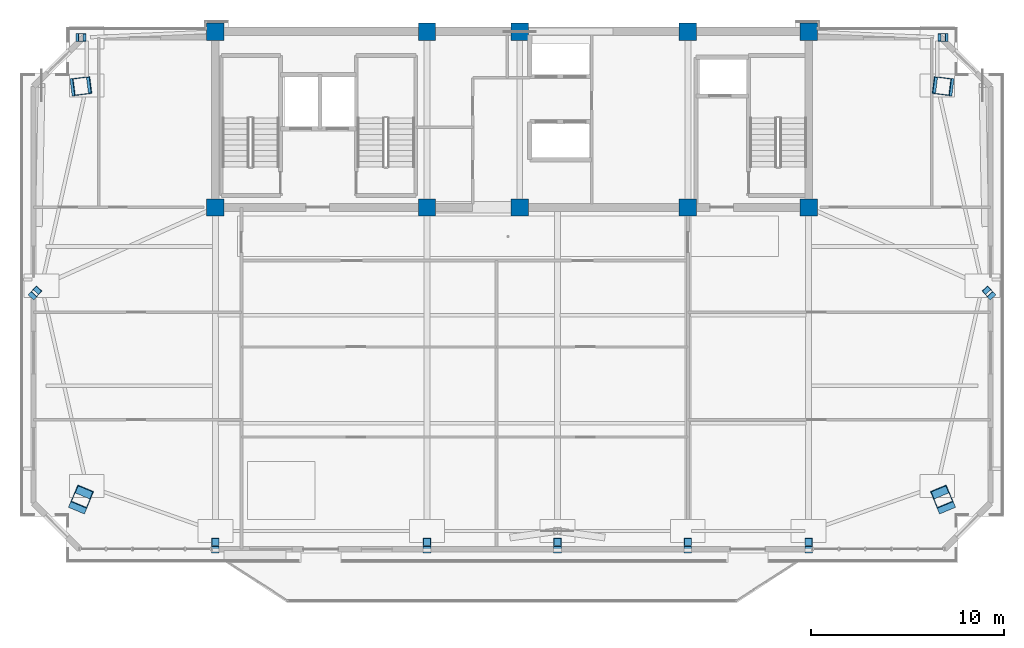
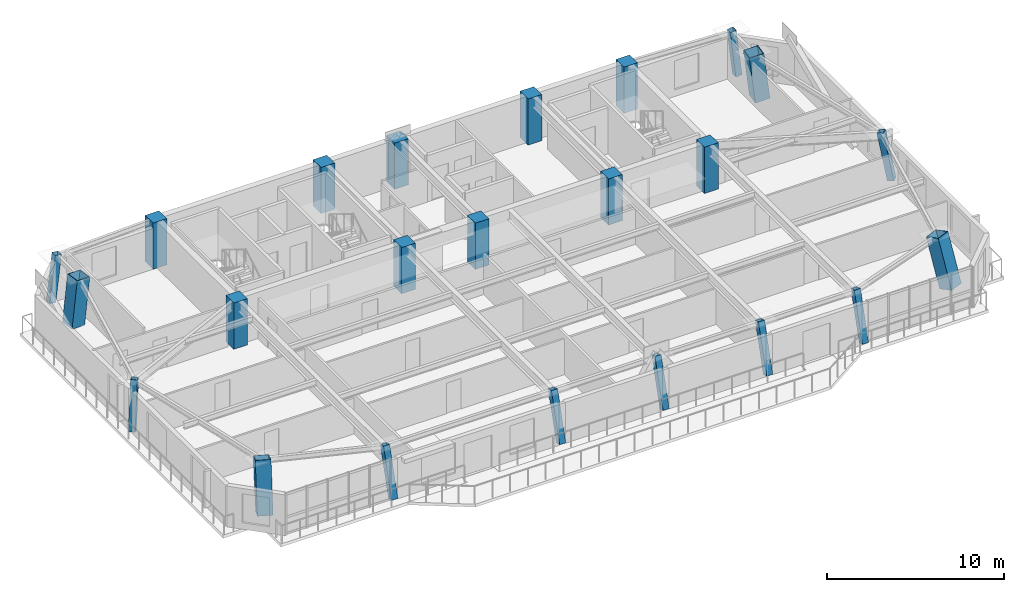
# One storey, part 1 of 14: 23 columns.
"""IFC4 building model written with IfcOpenShell, lengths in metres."""

from ifc_helpers import new_model, si_unit, direction, frame, origin, origin_2d, place, context, subcontext, project, spatial, rectangle, hollow_rectangle, extrude, source, transform, mapped, material, material_profile, profile_set, type_object, element, save


model = new_model("IFC4")

# Units and contexts
model_context = context("Model", 3, precision=1e-05, world=origin(), true_north=direction((0.0, 1.0)))
body_context = subcontext(model_context, "Body", "Model", "MODEL_VIEW")
ifc_project = project(units=[si_unit("LENGTHUNIT", "METRE"), si_unit("AREAUNIT", "SQUARE_METRE"), si_unit("VOLUMEUNIT", "CUBIC_METRE"), si_unit("PLANEANGLEUNIT", "RADIAN"), si_unit("MASSUNIT", "GRAM", prefix="KILO")], contexts=[model_context])

# Site, building, storey
site_placement = place(None, origin())
site = spatial("IfcSite", under=ifc_project, at=site_placement, CompositionType="ELEMENT")
building_placement = place(site_placement, origin())
building = spatial("IfcBuilding", under=site, at=building_placement, Name="Giltprow Tower", CompositionType="ELEMENT")
storey_placement = place(building_placement, frame((0.0, 0.0, 310.800048828125)))
storey = spatial("IfcBuildingStorey", under=building, at=storey_placement, Name="L80", CompositionType="ELEMENT", Elevation=310.800048828125)

# Columns
ifc_material_1 = material(Name="Concrete C45", Category="concrete")
ifc_material_profile_1 = material_profile(ifc_material_1, rectangle(XDim=0.89990234375, YDim=0.89990234375, at=origin_2d()), Name="RC 900x900")
ifc_profile_set_1 = profile_set([ifc_material_profile_1], Name="Concrete C45")
column_type_1 = type_object("IfcColumnType", Name="PIL-RC-900-C45", PredefinedType="PILASTER", material=ifc_profile_set_1)
shared_shape_1 = source(origin(), body_context, "Body", "SweptSolid", [
    extrude(rectangle(XDim=0.89990234375, YDim=0.89990234375, at=origin_2d()), origin(), (0.0, 0.0, 1.0), 3.18505859375),
])
for number, where, z_axis, x_axis, name in (
    (1, (19.85009765625, 37.449951171875, 0.0), (0.0, 0.0, 1.0), (1.0, 0.0, 0.0), "L80 Core Boundary Pilaster 1-1"),
    (2, (19.85009765625, 46.550048828125, 0.0), (0.0, 0.0, 1.0), (1.0, 0.0, 0.0), "L80 Core Boundary Pilaster 1-2"),
    (3, (30.800048828125, 37.449951171875, 0.0), (0.0, 0.0, 1.0), (1.0, 0.0, 0.0), "L80 Core Boundary Pilaster 2-1"),
    (4, (30.800048828125, 46.550048828125, 0.0), (0.0, 0.0, 1.0), (1.0, 0.0, 0.0), "L80 Core Boundary Pilaster 2-2"),
    (5, (35.60009765625, 37.449951171875, 0.0), (0.0, 0.0, 1.0), (1.0, 0.0, 0.0), "L80 Core Boundary Pilaster 3-1"),
    (6, (35.60009765625, 46.550048828125, 0.0), (0.0, 0.0, 1.0), (1.0, 0.0, 0.0), "L80 Core Boundary Pilaster 3-2"),
    (7, (44.300048828125, 37.449951171875, 0.0), (0.0, 0.0, 1.0), (1.0, 0.0, 0.0), "L80 Core Boundary Pilaster 4-1"),
    (8, (44.300048828125, 46.550048828125, 0.0), (0.0, 0.0, 1.0), (1.0, 0.0, 0.0), "L80 Core Boundary Pilaster 4-2"),
    (9, (50.550048828125, 37.449951171875, 0.0), (0.0, 0.0, 1.0), (1.0, 0.0, 0.0), "L80 Core Boundary Pilaster 5-1"),
    (10, (50.550048828125, 46.550048828125, 0.0), (0.0, 0.0, 1.0), (1.0, 0.0, 0.0), "L80 Core Boundary Pilaster 5-2"),
):
    element("IfcColumn", number, at=place(storey_placement, frame(where, z_axis=z_axis, x_axis=x_axis)), inside=storey, type_object=column_type_1, Name=name, PredefinedType="PILASTER", context=body_context, shape_type="MappedRepresentation", body=[
        mapped(shared_shape_1, transform((0.0, 0.0, 0.0), x_axis=(1.0, 0.0, 0.0), y_axis=(0.0, 1.0, 0.0), z_axis=(0.0, 0.0, 1.0), scale=1.0)),
    ])
ifc_material_2 = material(Name="Structural steel Q420GJC", Category="steel")
ifc_material_profile_2 = material_profile(ifc_material_2, hollow_rectangle(XDim=0.89990234375, YDim=0.89990234375, WallThickness=0.0400390625, at=origin_2d()), Name="BOX 900x900x40")
ifc_profile_set_2 = profile_set([ifc_material_profile_2], Name="Structural steel Q420GJC")
column_type_2 = type_object("IfcColumnType", Name="COL-BOX-900x900x40", PredefinedType="COLUMN", material=ifc_profile_set_2)
shared_shape_2 = source(origin(), body_context, "Body", "SweptSolid", [
    extrude(hollow_rectangle(XDim=0.89990234375, YDim=0.89990234375, WallThickness=0.0400390625, at=origin_2d()), origin(), (0.0, 0.0, 1.0), 3.326171875),
])
column_1_placement = place(storey_placement, frame((12.824951171875, 22.156982421875, 0.0), z_axis=(0.110687193154, 0.266074983542, 0.957576340771), x_axis=(-0.923295305511, 0.384090847093, 0.0)))
element("IfcColumn", 11, at=column_1_placement, inside=storey, type_object=column_type_2, Name="L80 Mega-Column MC_SW", PredefinedType="COLUMN", context=body_context, shape_type="MappedRepresentation", body=[
    mapped(shared_shape_2, transform((0.0, 0.0, 0.0), x_axis=(1.0, 0.0, 0.0), y_axis=(0.0, 1.0, 0.0), z_axis=(0.0, 0.0, 1.0), scale=1.0)),
])
shared_shape_3 = source(origin(), body_context, "Body", "SweptSolid", [
    extrude(hollow_rectangle(XDim=0.89990234375, YDim=0.89990234375, WallThickness=0.0400390625, at=origin_2d()), origin(), (0.0, 0.0, 1.0), 3.20654296875),
])
for number, where, z_axis, x_axis, name in (
    (12, (12.824951171875, 43.715087890625, 0.0), (0.114814147979, 0.014618246958, 0.993279426083), (-0.126301358356, 0.991991918756, 0.0), "L80 Mega-Column MC_NW"),
    (13, (57.574951171875, 43.715087890625, 0.0), (-0.114438458141, 0.014618884872, 0.993322771059), (-0.126714787137, -0.991939193056, 0.0), "L80 Mega-Column MC_NE"),
):
    element("IfcColumn", number, at=place(storey_placement, frame(where, z_axis=z_axis, x_axis=x_axis)), inside=storey, type_object=column_type_2, Name=name, PredefinedType="COLUMN", context=body_context, shape_type="MappedRepresentation", body=[
        mapped(shared_shape_3, transform((0.0, 0.0, 0.0), x_axis=(1.0, 0.0, 0.0), y_axis=(0.0, 1.0, 0.0), z_axis=(0.0, 0.0, 1.0), scale=1.0)),
    ])
shared_shape_4 = source(origin(), body_context, "Body", "SweptSolid", [
    extrude(hollow_rectangle(XDim=0.89990234375, YDim=0.89990234375, WallThickness=0.0400390625, at=origin_2d()), origin(), (0.0, 0.0, 1.0), 3.325927734375),
])
column_2_placement = place(storey_placement, frame((57.574951171875, 22.156982421875, 0.0), z_axis=(-0.110324667468, 0.266085774831, 0.957615177501), x_axis=(-0.923746511534, -0.383004415679, 0.0)))
element("IfcColumn", 14, at=column_2_placement, inside=storey, type_object=column_type_2, Name="L80 Mega-Column MC_SE", PredefinedType="COLUMN", context=body_context, shape_type="MappedRepresentation", body=[
    mapped(shared_shape_4, transform((0.0, 0.0, 0.0), x_axis=(1.0, 0.0, 0.0), y_axis=(0.0, 1.0, 0.0), z_axis=(0.0, 0.0, 1.0), scale=1.0)),
])
ifc_material_3 = material(Name="Structural steel Q355B", Category="steel")
ifc_material_profile_3 = material_profile(ifc_material_3, hollow_rectangle(XDim=0.39990234375, YDim=0.39990234375, WallThickness=0.02001953125, at=origin_2d()), Name="BOX 400x400x20")
ifc_profile_set_3 = profile_set([ifc_material_profile_3], Name="Structural steel Q355B")
column_type_3 = type_object("IfcColumnType", Name="COL-BOX-400x400x20", PredefinedType="COLUMN", material=ifc_profile_set_3)
shared_shape_5 = source(origin(), body_context, "Body", "SweptSolid", [
    extrude(hollow_rectangle(XDim=0.39990234375, YDim=0.39990234375, WallThickness=0.02001953125, at=origin_2d()), origin(), (0.0, 0.0, 1.0), 3.318603515625),
])
for number, where, z_axis, x_axis, name in (
    (15, (19.85009765625, 19.77197265625, 0.0), (0.0, 0.280875615119, 0.959744178847), (-1.0, 0.0, 0.0), "L80 Perimeter Column S1"),
    (16, (30.800048828125, 19.77197265625, 0.0), (0.0, 0.280875615119, 0.959744178847), (-1.0, 0.0, 0.0), "L80 Perimeter Column S2"),
    (17, (37.550048828125, 19.77197265625, 0.0), (0.0, 0.280875615119, 0.959744178847), (-1.0, 0.0, 0.0), "L80 Perimeter Column S_MID"),
    (18, (44.300048828125, 19.77197265625, 0.0), (0.0, 0.280875615119, 0.959744178847), (-1.0, 0.0, 0.0), "L80 Perimeter Column S3"),
    (19, (50.550048828125, 19.77197265625, 0.0), (0.0, 0.280875615119, 0.959744178847), (-1.0, 0.0, 0.0), "L80 Perimeter Column S4"),
):
    element("IfcColumn", number, at=place(storey_placement, frame(where, z_axis=z_axis, x_axis=x_axis)), inside=storey, type_object=column_type_3, Name=name, PredefinedType="COLUMN", context=body_context, shape_type="MappedRepresentation", body=[
        mapped(shared_shape_5, transform((0.0, 0.0, 0.0), x_axis=(1.0, 0.0, 0.0), y_axis=(0.0, 1.0, 0.0), z_axis=(0.0, 0.0, 1.0), scale=1.0)),
    ])
shared_shape_6 = source(origin(), body_context, "Body", "SweptSolid", [
    extrude(hollow_rectangle(XDim=0.39990234375, YDim=0.39990234375, WallThickness=0.02001953125, at=origin_2d()), origin(), (0.0, 0.0, 1.0), 3.24560546875),
])
for number, where, z_axis, x_axis, name in (
    (20, (10.43994140625, 32.93603515625, 0.0), (0.127876528395, 0.143597819239, 0.981339523201), (-0.746804669772, 0.665043446104, 0.0), "L80 Perimeter Column W_MID"),
    (21, (59.9599609375, 32.93603515625, 0.0), (-0.127580545586, 0.143603338163, 0.981377239219), (-0.747582141628, -0.664169362075, 0.0), "L80 Perimeter Column E_MID"),
):
    element("IfcColumn", number, at=place(storey_placement, frame(where, z_axis=z_axis, x_axis=x_axis)), inside=storey, type_object=column_type_3, Name=name, PredefinedType="COLUMN", context=body_context, shape_type="MappedRepresentation", body=[
        mapped(shared_shape_6, transform((0.0, 0.0, 0.0), x_axis=(1.0, 0.0, 0.0), y_axis=(0.0, 1.0, 0.0), z_axis=(0.0, 0.0, 1.0), scale=1.0)),
    ])
shared_shape_7 = source(origin(), body_context, "Body", "SweptSolid", [
    extrude(hollow_rectangle(XDim=0.39990234375, YDim=0.39990234375, WallThickness=0.02001953125, at=origin_2d()), origin(), (0.0, 0.0, 1.0), 3.206298828125),
])
column_3_placement = place(storey_placement, frame((12.824951171875, 46.25, 0.0), z_axis=(0.114826417444, 0.0, 0.993385571597), x_axis=(0.0, 1.0, 0.0)))
element("IfcColumn", 22, at=column_3_placement, inside=storey, type_object=column_type_3, Name="L80 Perimeter Column N_W", PredefinedType="COLUMN", context=body_context, shape_type="MappedRepresentation", body=[
    mapped(shared_shape_7, transform((0.0, 0.0, 0.0), x_axis=(1.0, 0.0, 0.0), y_axis=(0.0, 1.0, 0.0), z_axis=(0.0, 0.0, 1.0), scale=1.0)),
])
shared_shape_8 = source(origin(), body_context, "Body", "SweptSolid", [
    extrude(hollow_rectangle(XDim=0.39990234375, YDim=0.39990234375, WallThickness=0.02001953125, at=origin_2d()), origin(), (0.0, 0.0, 1.0), 3.2060546875),
])
column_4_placement = place(storey_placement, frame((57.574951171875, 46.25, 0.0), z_axis=(-0.114450688525, 0.0, 0.993428930471), x_axis=(0.0, -1.0, 0.0)))
element("IfcColumn", 23, at=column_4_placement, inside=storey, type_object=column_type_3, Name="L80 Perimeter Column N_E", PredefinedType="COLUMN", context=body_context, shape_type="MappedRepresentation", body=[
    mapped(shared_shape_8, transform((0.0, 0.0, 0.0), x_axis=(1.0, 0.0, 0.0), y_axis=(0.0, 1.0, 0.0), z_axis=(0.0, 0.0, 1.0), scale=1.0)),
])

save(model, "model.ifc")
